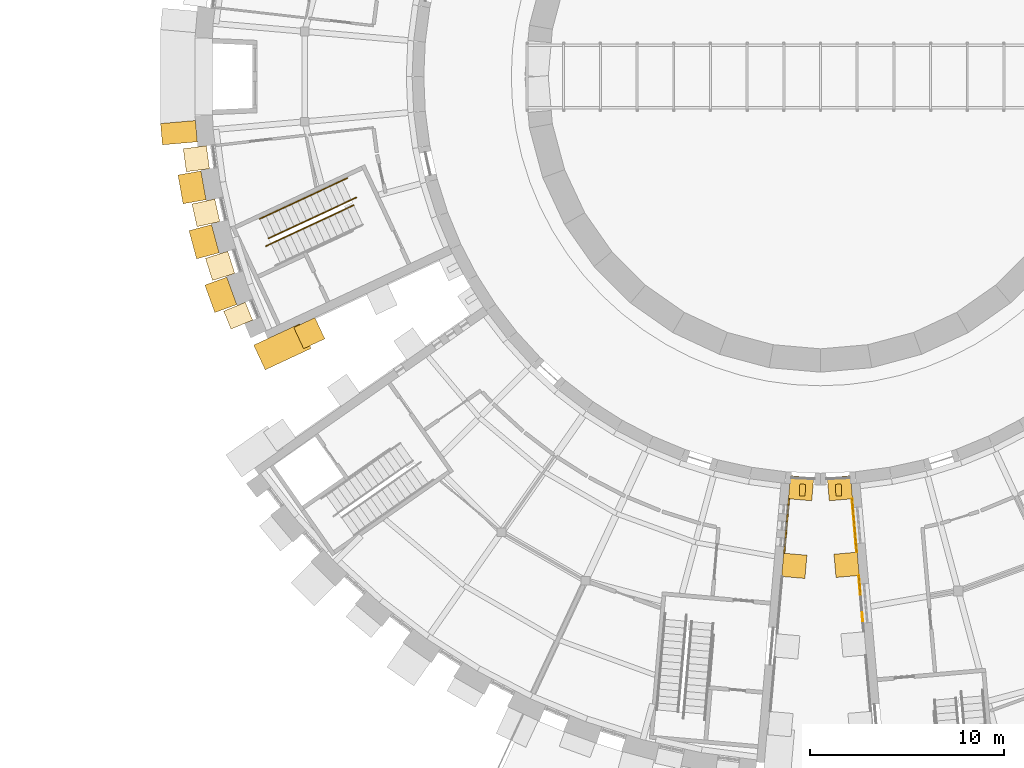
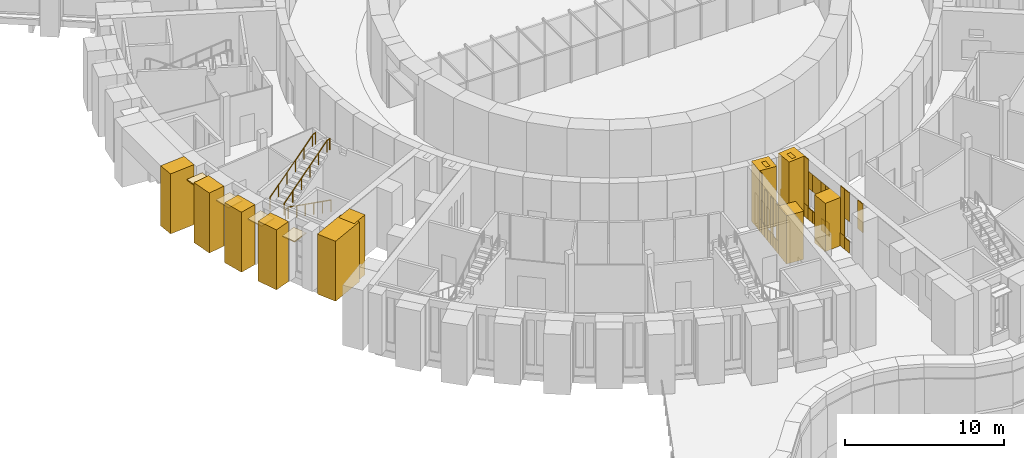
# One storey, part 67 of 85: 42 coverings, 3 railings.
"""IFC4 building model written with IfcOpenShell, lengths in metres."""

import ifcopenshell
import ifcopenshell.guid

model = None  # the IFC model being written
_history = None  # IfcOwnerHistory: only IFC2X3 demands one
_inside = {}  # id of a spatial element -> (the spatial element, [elements in it])
_under = {}  # id of a project, library or spatial element -> (it, [spatial elements below it])
_declared = {}  # id of a project -> (the project, [libraries it declares])
_typed = {}  # id of a type object -> (the type object, [elements of that type])
_made_of = {}  # id of a material, layer set ... -> (it, [elements and type objects made of it])


def new_model(schema):
    """Start an empty IFC model of exactly this schema.

    Asked for "IFC4X3", IfcOpenShell would pick the latest addendum, in which some entities
    have other attributes; the version numbers below select the first issue.
    IFC2X3 requires an IfcOwnerHistory on every rooted entity: one is made here for all.
    """
    global model, _history
    if schema == "IFC4X3":
        model = ifcopenshell.file(schema_version=(4, 3, 0, 0))
    else:
        model = ifcopenshell.file(schema=schema)
    _inside.clear()
    _under.clear()
    _declared.clear()
    _typed.clear()
    _made_of.clear()
    _history = None
    if model.schema == "IFC2X3":
        org = make("IfcOrganization", Name="unknown")
        user = make(
            "IfcPersonAndOrganization",
            ThePerson=make("IfcPerson", FamilyName="unknown"),
            TheOrganization=org,
        )
        app = make(
            "IfcApplication",
            ApplicationDeveloper=org,
            Version="unknown",
            ApplicationFullName="unknown",
            ApplicationIdentifier="unknown",
        )
        _history = make(
            "IfcOwnerHistory",
            OwningUser=user,
            OwningApplication=app,
            ChangeAction="ADDED",
            CreationDate=0,
        )
    return model


def make(cls, **values):
    """One entity of the class cls with the attributes given. An attribute that is None is left unset."""
    return model.create_entity(
        cls, **{name: value for name, value in values.items() if value is not None}
    )


def rooted(cls, **values):
    """An entity with a GlobalId (a new one), such as an element, a storey or a relation."""
    return make(cls, GlobalId=ifcopenshell.guid.new(), OwnerHistory=_history, **values)


def si_unit(unit_type, name, prefix=None):
    """IfcSIUnit, for example si_unit("LENGTHUNIT", "METRE", prefix="MILLI")."""
    return make("IfcSIUnit", UnitType=unit_type, Prefix=prefix, Name=name)


def assignment(units):
    """IfcUnitAssignment: the units of a project."""
    return None if units is None else make("IfcUnitAssignment", Units=units)


def point(xyz):
    """IfcCartesianPoint."""
    return None if xyz is None else make("IfcCartesianPoint", Coordinates=xyz)


def direction(xyz):
    """IfcDirection."""
    return None if xyz is None else make("IfcDirection", DirectionRatios=xyz)


def frame(location, z_axis=None, x_axis=None):
    """IfcAxis2Placement3D, a coordinate frame: its origin and axes. An axis left out is left unset."""
    return make(
        "IfcAxis2Placement3D",
        Location=point(location),
        Axis=direction(z_axis),
        RefDirection=direction(x_axis),
    )


def frame_2d(location, x_axis=None):
    """IfcAxis2Placement2D, a coordinate frame in the plane: its origin and x axis."""
    return make(
        "IfcAxis2Placement2D", Location=point(location), RefDirection=direction(x_axis)
    )


def origin():
    """The frame at (0, 0, 0) with its axes left unset."""
    return frame((0.0, 0.0, 0.0))


def origin_2d():
    """The frame at (0, 0) in the plane with its x axis left unset."""
    return frame_2d((0.0, 0.0))


def place(relative_to, where):
    """IfcLocalPlacement: puts the frame where relative to a parent placement (None: the world)."""
    return make(
        "IfcLocalPlacement", PlacementRelTo=relative_to, RelativePlacement=where
    )


def context(
    kind, dimensions, precision=None, world=None, true_north=None, identifier=None
):
    """IfcGeometricRepresentationContext, for example the 3D "Model" context."""
    return make(
        "IfcGeometricRepresentationContext",
        ContextIdentifier=identifier,
        ContextType=kind,
        CoordinateSpaceDimension=dimensions,
        Precision=precision,
        WorldCoordinateSystem=world,
        TrueNorth=true_north,
    )


def subcontext(parent, identifier, kind, view, scale=None):
    """IfcGeometricRepresentationSubContext, for example "Body" below "Model"."""
    return make(
        "IfcGeometricRepresentationSubContext",
        ContextIdentifier=identifier,
        ContextType=kind,
        ParentContext=parent,
        TargetScale=scale,
        TargetView=view,
    )


def project(units=None, contexts=None):
    """IfcProject with its units and contexts."""
    return rooted(
        "IfcProject",
        Name="project",
        RepresentationContexts=contexts,
        UnitsInContext=assignment(units),
    )


def spatial(cls, under=None, at=None, **own):
    """A site, building, storey or space (cls), placed at a placement, below another one or the project."""
    s = rooted(cls, ObjectPlacement=at, **own)
    if under is not None:
        _under.setdefault(under.id(), (under, []))[1].append(s)
    return s


def polyline(points):
    """IfcPolyline through the points."""
    return make("IfcPolyline", Points=[point(p) for p in points])


def profile(cls, at=None, kind="AREA", **sizes):
    """A parametric profile (cls). Its sizes go by their IFC names, for example OverallWidth=200.0."""
    return make(cls, ProfileType=kind, Position=at, **sizes)


def rectangle(**sizes):
    """IfcRectangleProfileDef."""
    return profile("IfcRectangleProfileDef", **sizes)


def circle(**sizes):
    """IfcCircleProfileDef."""
    return profile("IfcCircleProfileDef", **sizes)


def outline(outer, holes=None, kind="AREA"):
    """IfcArbitraryClosedProfileDef: a profile drawn as a closed curve; with holes, ...WithVoids."""
    if holes is None:
        return make("IfcArbitraryClosedProfileDef", ProfileType=kind, OuterCurve=outer)
    return make(
        "IfcArbitraryProfileDefWithVoids",
        ProfileType=kind,
        OuterCurve=outer,
        InnerCurves=holes,
    )


def extrude(swept, where, along, depth):
    """IfcExtrudedAreaSolid: the profile swept, set in the frame where, extruded along a direction by depth."""
    return make(
        "IfcExtrudedAreaSolid",
        SweptArea=swept,
        Position=where,
        ExtrudedDirection=direction(along),
        Depth=depth,
    )


def shape(context_of_items, identifier, shape_type, items):
    """IfcShapeRepresentation: the items that make up one representation, for example the "Body"."""
    return make(
        "IfcShapeRepresentation",
        ContextOfItems=context_of_items,
        RepresentationIdentifier=identifier,
        RepresentationType=shape_type,
        Items=items,
    )


def material(Name=None, Category=None):
    """IfcMaterial."""
    return make("IfcMaterial", Name=Name, Category=Category)


def layer(
    of_material, thickness, ventilated=None, Name=None, Category=None, Priority=None
):
    """IfcMaterialLayer: one layer of a wall or slab, of a material (None: an air gap)."""
    return make(
        "IfcMaterialLayer",
        Material=of_material,
        LayerThickness=thickness,
        IsVentilated=ventilated,
        Name=Name,
        Category=Category,
        Priority=Priority,
    )


def layer_set(layers, Name=None):
    """IfcMaterialLayerSet."""
    return make("IfcMaterialLayerSet", MaterialLayers=layers, LayerSetName=Name)


def made_of(thing, what):
    """Note that an element or type object is made of a material, layer set ...; save() writes the relation."""
    if what is not None:
        _made_of.setdefault(what.id(), (what, []))[1].append(thing)
    return thing


def type_object(cls, material=None, **own):
    """A type object (cls), such as IfcWallType, which elements share."""
    return made_of(rooted(cls, **own), material)


def element(
    cls,
    number,
    at=None,
    inside=None,
    cuts=None,
    type_object=None,
    material=None,
    context=None,
    identifier="Body",
    shape_type=None,
    held_by="IfcProductDefinitionShape",
    body=None,
    shapes=None,
    **own,
):
    """One element of the class cls, such as IfcWall. Its Tag is "e" and its number.

    at: its placement. inside: the storey or other place that contains it. cuts: it is an
    opening in that element (IfcRelVoidsElement). A single representation is given by context,
    identifier, shape_type and body (its items); several are given by shapes. held_by: the class
    of the entity that holds the representations. save() writes the other relations.
    """
    e = rooted(cls, Tag="e%d" % number, ObjectPlacement=at, **own)
    if body is not None:
        shapes = [shape(context, identifier, shape_type, body)]
    if shapes is not None:
        e.Representation = make(held_by, Representations=shapes)
    if inside is not None:
        _inside.setdefault(inside.id(), (inside, []))[1].append(e)
    if cuts is not None:
        rooted(
            "IfcRelVoidsElement", RelatingBuildingElement=cuts, RelatedOpeningElement=e
        )
    if type_object is not None:
        _typed.setdefault(type_object.id(), (type_object, []))[1].append(e)
    return made_of(e, material)


def aggregate(whole, parts):
    """IfcRelAggregates: a whole, such as a stair, and the parts it consists of."""
    return rooted("IfcRelAggregates", RelatingObject=whole, RelatedObjects=parts)


def save(model, path):
    """Write the relations noted so far, then the file.

    IfcRelAggregates (storeys below a building ...), IfcRelContainedInSpatialStructure (elements
    in a storey), IfcRelDefinesByType, IfcRelAssociatesMaterial and IfcRelDeclares: one each for
    every whole, place, type object, material and project.
    """
    for whole, parts in _under.values():
        aggregate(whole, parts)
    for where, things in _inside.values():
        rooted(
            "IfcRelContainedInSpatialStructure",
            RelatedElements=things,
            RelatingStructure=where,
        )
    for kind, things in _typed.values():
        rooted("IfcRelDefinesByType", RelatedObjects=things, RelatingType=kind)
    for what, things in _made_of.values():
        rooted("IfcRelAssociatesMaterial", RelatedObjects=things, RelatingMaterial=what)
    for by, libraries in _declared.values():
        rooted("IfcRelDeclares", RelatingContext=by, RelatedDefinitions=libraries)
    model.write(path)


model = new_model("IFC4")

# Units and contexts
model_context = context("Model", 3, precision=1e-05, world=origin(), true_north=direction((0.0, 1.0)))
body_context = subcontext(model_context, "Body", "Model", "MODEL_VIEW")
ifc_project = project(units=[si_unit("LENGTHUNIT", "METRE"), si_unit("AREAUNIT", "SQUARE_METRE"), si_unit("VOLUMEUNIT", "CUBIC_METRE"), si_unit("PLANEANGLEUNIT", "RADIAN"), si_unit("MASSUNIT", "GRAM", prefix="KILO")], contexts=[model_context])

# Site, building, storey
site_placement = place(None, origin())
site = spatial("IfcSite", under=ifc_project, at=site_placement, CompositionType="ELEMENT")
building_placement = place(site_placement, origin())
building = spatial("IfcBuilding", under=site, at=building_placement, Name="Volute Hill Aquarium", CompositionType="ELEMENT")
storey_placement = place(building_placement, origin())
storey = spatial("IfcBuildingStorey", under=building, at=storey_placement, Name="L01", CompositionType="ELEMENT", Elevation=0.0)

# Coverings
ifc_material_1 = material(Name="Precast pale concrete C40/50", Category="concrete")
covering_type_1 = type_object("IfcCoveringType", Name="Drum pier fin 300x600", PredefinedType="CLADDING", material=ifc_material_1)
for number, where, z_axis, x_axis, name in (
    (1, (-0.92822265625, -21.260009765625, 0.0), (0.0, 0.0, 1.0), (0.999048221582, -0.043619387365, 0.0), "Drum pier fin DF 54 L01"),
    (2, (0.92822265625, -21.260009765625, 0.0), (0.0, 0.0, 1.0), (0.999048221582, 0.043619387365, 0.0), "Drum pier fin DF 55 L01"),
):
    element("IfcCovering", number, at=place(storey_placement, frame(where, z_axis=z_axis, x_axis=x_axis)), inside=storey, type_object=covering_type_1, Name=name, PredefinedType="CLADDING", context=body_context, shape_type="SweptSolid", body=[
        extrude(rectangle(XDim=0.300048828125, YDim=0.60009765625, at=origin_2d()), origin(), (0.0, 0.0, 1.0), 4.60009765625),
    ])
ifc_material_2 = material(Name="Blue limestone", Category="masonry")
ifc_layer_1 = layer(ifc_material_2, 0.06005859375)
ifc_layer_set_1 = layer_set([ifc_layer_1], Name="End wall plinth blue limestone 60")
covering_type_2 = type_object("IfcCoveringType", Name="End wall plinth blue limestone 60", PredefinedType="CLADDING", material=ifc_layer_set_1)
covering_1_placement = place(storey_placement, frame((-1.648193359375, -21.708740234375, 0.0), z_axis=(-0.996213352691, 0.086942256235, 0.0), x_axis=(-0.086942256235, -0.996213352691, 0.0)))
element("IfcCovering", 3, at=covering_1_placement, inside=storey, type_object=covering_type_2, Name="End wall plinth EWL S2B L01 1", PredefinedType="CLADDING", context=body_context, shape_type="SweptSolid", body=[
    extrude(outline(polyline([(0.0, 0.0), (0.33696934343236407, 0.0), (0.33696934343236407, 1.0), (0.0, 1.0), (0.0, 0.0)])), origin(), (0.0, 0.0, -1.0), 0.06005859375),
])
covering_2_placement = place(storey_placement, frame((-1.677490234375, -22.04443359375, 0.0), z_axis=(-0.996181346462, 0.087308218171, 0.0), x_axis=(-0.087308218171, -0.996181346462, 0.0)))
element("IfcCovering", 4, at=covering_2_placement, inside=storey, type_object=covering_type_2, Name="End wall plinth EWL S2B L01 1", PredefinedType="CLADDING", context=body_context, shape_type="SweptSolid", body=[
    extrude(outline(polyline([(0.0, 0.0), (0.450205506976834, 0.0), (0.450205506976834, 0.89990234375), (0.0, 0.89990234375), (0.0, 0.0)])), origin(), (0.0, 0.0, -1.0), 0.06005859375),
])
covering_3_placement = place(storey_placement, frame((-1.716796875, -22.492919921875, 0.0), z_axis=(-0.996207870151, 0.087005054162, 0.0), x_axis=(-0.087005054162, -0.996207870151, 0.0)))
element("IfcCovering", 5, at=covering_3_placement, inside=storey, type_object=covering_type_2, Name="End wall plinth EWL S2B L01 1", PredefinedType="CLADDING", context=body_context, shape_type="SweptSolid", body=[
    extrude(outline(polyline([(0.0, 0.0), (0.39284714927595493, 0.0), (0.39284714927595493, 1.0), (0.0, 1.0), (0.0, 0.0)])), origin(), (0.0, 0.0, -1.0), 0.06005859375),
])
covering_4_placement = place(storey_placement, frame((-1.7509765625, -22.88427734375, 0.0), z_axis=(-0.996177209405, 0.087355408886, 0.0), x_axis=(-0.087355408886, -0.996177209405, 0.0)))
element("IfcCovering", 6, at=covering_4_placement, inside=storey, type_object=covering_type_2, Name="End wall plinth EWL S2B L01 1", PredefinedType="CLADDING", context=body_context, shape_type="SweptSolid", body=[
    extrude(outline(polyline([(0.0, 0.0), (0.4499622991451707, 0.0), (0.4499622991451707, 0.89990234375), (0.0, 0.89990234375), (0.0, 0.0)])), origin(), (0.0, 0.0, -1.0), 0.06005859375),
])
covering_5_placement = place(storey_placement, frame((-1.790283203125, -23.33251953125, 0.0), z_axis=(-0.996212570198, 0.086951221838, 0.0), x_axis=(-0.086951221838, -0.996212570198, 0.0)))
element("IfcCovering", 7, at=covering_5_placement, inside=storey, type_object=covering_type_2, Name="End wall plinth EWL S2B L01 1", PredefinedType="CLADDING", context=body_context, shape_type="SweptSolid", body=[
    extrude(outline(polyline([(0.0, 0.0), (0.39309036466191727, 0.0), (0.39309036466191727, 1.0), (0.0, 1.0), (0.0, 0.0)])), origin(), (0.0, 0.0, -1.0), 0.06005859375),
])
covering_6_placement = place(storey_placement, frame((-1.824462890625, -23.72412109375, 0.0), z_axis=(-0.996177209405, 0.087355408886, 0.0), x_axis=(-0.087355408886, -0.996177209405, 0.0)))
element("IfcCovering", 8, at=covering_6_placement, inside=storey, type_object=covering_type_2, Name="End wall plinth EWL S2B L01 1", PredefinedType="CLADDING", context=body_context, shape_type="SweptSolid", body=[
    extrude(outline(polyline([(0.0, 0.0), (0.4499622991451707, 0.0), (0.4499622991451707, 0.89990234375), (0.0, 0.89990234375), (0.0, 0.0)])), origin(), (0.0, 0.0, -1.0), 0.06005859375),
])
covering_7_placement = place(storey_placement, frame((-1.86376953125, -24.17236328125, 0.0), z_axis=(-0.996213352691, 0.086942256235, 0.0), x_axis=(-0.086942256235, -0.996213352691, 0.0)))
element("IfcCovering", 9, at=covering_7_placement, inside=storey, type_object=covering_type_2, Name="End wall plinth EWL S2B L01 1", PredefinedType="CLADDING", context=body_context, shape_type="SweptSolid", body=[
    extrude(outline(polyline([(0.0, 0.0), (0.33696934343236407, 0.0), (0.33696934343236407, 1.0), (0.0, 1.0), (0.0, 0.0)])), origin(), (0.0, 0.0, -1.0), 0.06005859375),
])
covering_8_placement = place(storey_placement, frame((1.588623046875, -21.714111328125, 0.0), z_axis=(-0.996177209405, -0.087355408886, 0.0), x_axis=(0.087355408886, -0.996177209405, 0.0)))
element("IfcCovering", 10, at=covering_8_placement, inside=storey, type_object=covering_type_2, Name="End wall plinth EWL S3A L01 1", PredefinedType="CLADDING", context=body_context, shape_type="SweptSolid", body=[
    extrude(outline(polyline([(0.0, 0.0), (0.4499622991451707, 0.0), (0.4499622991451707, 1.0), (0.0, 1.0), (0.0, 0.0)])), origin(), (0.0, 0.0, -1.0), 0.06005859375),
])
covering_9_placement = place(storey_placement, frame((1.6279296875, -22.162353515625, 0.0), z_axis=(-0.996192610653, -0.087179598988, 0.0), x_axis=(0.087179598988, -0.996192610653, 0.0)))
element("IfcCovering", 11, at=covering_9_placement, inside=storey, type_object=covering_type_2, Name="End wall plinth EWL S3A L01 1", PredefinedType="CLADDING", context=body_context, shape_type="SweptSolid", body=[
    extrude(outline(polyline([(0.0, 0.0), (0.4788740411727415, 0.0), (0.4788740411727415, 0.89990234375), (0.0, 0.89990234375), (0.0, 0.0)])), origin(), (0.0, 0.0, -1.0), 0.06005859375),
])
covering_10_placement = place(storey_placement, frame((1.669677734375, -22.639404296875, 0.0), z_axis=(-0.996200781645, -0.087086179441, 0.0), x_axis=(0.087086179441, -0.996200781645, 0.0)))
element("IfcCovering", 12, at=covering_10_placement, inside=storey, type_object=covering_type_2, Name="End wall plinth EWL S3A L01 1", PredefinedType="CLADDING", context=body_context, shape_type="SweptSolid", body=[
    extrude(outline(polyline([(0.0, 0.0), (0.8999033041507525, 0.0), (0.8999033041507525, 0.89990234375), (0.0, 0.89990234375), (0.0, 0.0)])), origin(), (0.0, 0.0, -1.0), 0.06005859375),
])
covering_11_placement = place(storey_placement, frame((1.748046875, -23.535888671875, 0.0), z_axis=(-0.996192610653, -0.087179598988, 0.0), x_axis=(0.087179598988, -0.996192610653, 0.0)))
element("IfcCovering", 13, at=covering_11_placement, inside=storey, type_object=covering_type_2, Name="End wall plinth EWL S3A L01 1", PredefinedType="CLADDING", context=body_context, shape_type="SweptSolid", body=[
    extrude(outline(polyline([(0.0, 0.0), (0.4788740411727415, 0.0), (0.4788740411727415, 0.89990234375), (0.0, 0.89990234375), (0.0, 0.0)])), origin(), (0.0, 0.0, -1.0), 0.06005859375),
])
for number, where, z_axis, x_axis, name in (
    (14, (1.789794921875, -24.012939453125, 0.0), (-0.996224282231, -0.086816930913, 0.0), (0.086816930913, -0.996224282231, 0.0), "End wall plinth EWL S3A L01 1"),
    (15, (1.93359375, -25.65673828125, 0.0), (-0.996224282231, -0.086816930913, 0.0), (0.086816930913, -0.996224282231, 0.0), "End wall plinth EWL S3A L01 2"),
):
    element("IfcCovering", number, at=place(storey_placement, frame(where, z_axis=z_axis, x_axis=x_axis)), inside=storey, type_object=covering_type_2, Name=name, PredefinedType="CLADDING", context=body_context, shape_type="SweptSolid", body=[
        extrude(outline(polyline([(0.0, 0.0), (0.44994103787166956, 0.0), (0.44994103787166956, 0.9999999999999999), (0.0, 0.9999999999999999), (0.0, 0.0)])), origin(), (0.0, 0.0, -1.0), 0.06005859375),
    ])
covering_12_placement = place(storey_placement, frame((1.97265625, -26.10498046875, 0.0), z_axis=(-0.996180782713, -0.087314650278, 0.0), x_axis=(0.087314650278, -0.996180782713, 0.0)))
element("IfcCovering", 16, at=covering_12_placement, inside=storey, type_object=covering_type_2, Name="End wall plinth EWL S3A L01 2", PredefinedType="CLADDING", context=body_context, shape_type="SweptSolid", body=[
    extrude(outline(polyline([(0.0, 0.0), (0.5536280978769228, 0.0), (0.5536280978769228, 0.8999023437500002), (0.0, 0.8999023437500002), (0.0, 0.0)])), origin(), (0.0, 0.0, -1.0), 0.06005859375),
])
ifc_material_3 = material(Name="Precast concrete C40/50", Category="concrete")
covering_type_3 = type_object("IfcCoveringType", Name="End wall precast fin C40/50 1200x1200", PredefinedType="CLADDING", material=ifc_material_3)
for number, where, z_axis, x_axis, name in (
    (17, (-26.2861328125, -13.1953125, 0.0), (0.0, 0.0, 1.0), (-0.906304180904, -0.42262599503, 0.0), "End wall fin EWF S1B L01 3"),
    (18, (-0.998291015625, -21.16357421875, 0.0), (0.0, 0.0, 1.0), (-0.087158138485, -0.996194488489, 0.0), "End wall fin EWF S2B L01 1"),
):
    element("IfcCovering", number, at=place(storey_placement, frame(where, z_axis=z_axis, x_axis=x_axis)), inside=storey, type_object=covering_type_3, Name=name, PredefinedType="CLADDING", context=body_context, shape_type="SweptSolid", body=[
        extrude(rectangle(XDim=1.199951171875, YDim=1.199951171875, at=origin_2d()), origin(), (0.0, 0.0, 1.0), 4.60009765625),
    ])
covering_13_placement = place(storey_placement, frame((-1.347900390625, -25.158203125, 0.0), z_axis=(0.0, 0.0, 1.0), x_axis=(-0.087158138485, -0.996194488489, 0.0)))
element("IfcCovering", 19, at=covering_13_placement, inside=storey, type_object=covering_type_3, Name="End wall fin EWF S2B L01 2", PredefinedType="CLADDING", context=body_context, shape_type="SweptSolid", body=[
    extrude(rectangle(XDim=1.199951171875, YDim=1.199951171875, at=origin_2d()), origin(), (0.0, 0.0, 1.0), 3.699951171875),
])
covering_14_placement = place(storey_placement, frame((0.998291015625, -21.16357421875, 0.0), z_axis=(0.0, 0.0, 1.0), x_axis=(0.087159823273, -0.996194341084, 0.0)))
element("IfcCovering", 20, at=covering_14_placement, inside=storey, type_object=covering_type_3, Name="End wall fin EWF S3A L01 1", PredefinedType="CLADDING", context=body_context, shape_type="SweptSolid", body=[
    extrude(rectangle(XDim=1.199951171875, YDim=1.199951171875, at=origin_2d()), origin(), (0.0, 0.0, 1.0), 4.60009765625),
])
covering_15_placement = place(storey_placement, frame((1.34326171875, -25.10595703125, 0.0), z_axis=(0.0, 0.0, 1.0), x_axis=(0.087159823273, -0.996194341084, 0.0)))
element("IfcCovering", 21, at=covering_15_placement, inside=storey, type_object=covering_type_3, Name="End wall fin EWF S3A L01 2", PredefinedType="CLADDING", context=body_context, shape_type="SweptSolid", body=[
    extrude(rectangle(XDim=1.199951171875, YDim=1.199951171875, at=origin_2d()), origin(), (0.0, 0.0, 1.0), 3.699951171875),
])
ifc_material_4 = material(Name="Precast concrete C40/50", Category="concrete")
ifc_layer_2 = layer(ifc_material_4, 0.050048828125)
ifc_layer_set_2 = layer_set([ifc_layer_2], Name="End wall precast infill panel C40/50 50")
covering_type_4 = type_object("IfcCoveringType", Name="End wall precast infill panel C40/50 50", PredefinedType="CLADDING", material=ifc_layer_set_2)
covering_16_placement = place(storey_placement, frame((-1.648193359375, -21.708984375, 1.0), z_axis=(-0.996150344426, 0.08766123031, 0.0), x_axis=(-0.08766123031, -0.996150344426, 0.0)))
element("IfcCovering", 22, at=covering_16_placement, inside=storey, type_object=covering_type_4, Name="End wall panel EWP S2B L01 1", PredefinedType="CLADDING", context=body_context, shape_type="SweptSolid", body=[
    extrude(outline(polyline([(0.0, 0.0), (0.3369906573373057, 0.0), (0.3369906573373057, 3.60009765625), (0.0, 3.60009765625), (0.0, 0.0)])), origin(), (0.0, 0.0, -1.0), 0.050048828125),
])
for number, where, z_axis, x_axis, name in (
    (23, (-1.716796875, -22.492919921875, 1.0), (-0.996153816649, 0.087621764284, 0.0), (-0.087621764284, -0.996153816649, 0.0), "End wall panel EWP S2B L01 1"),
    (24, (-1.790283203125, -23.332763671875, 1.0), (-0.996153816649, 0.087621764284, 0.0), (-0.087621764284, -0.996153816649, 0.0), "End wall panel EWP S2B L01 1"),
):
    element("IfcCovering", number, at=place(storey_placement, frame(where, z_axis=z_axis, x_axis=x_axis)), inside=storey, type_object=covering_type_4, Name=name, PredefinedType="CLADDING", context=body_context, shape_type="SweptSolid", body=[
        extrude(outline(polyline([(0.0, 0.0), (0.39286846602829584, 0.0), (0.39286846602829584, 2.6999511718749996), (0.0, 2.6999511718749996), (0.0, 0.0)])), origin(), (0.0, 0.0, -1.0), 0.050048828125),
    ])
covering_17_placement = place(storey_placement, frame((-1.86376953125, -24.17236328125, 1.0), z_axis=(-0.996155905612, 0.087598012049, 0.0), x_axis=(-0.087598012049, -0.996155905612, 0.0)))
element("IfcCovering", 25, at=covering_17_placement, inside=storey, type_object=covering_type_4, Name="End wall panel EWP S2B L01 1", PredefinedType="CLADDING", context=body_context, shape_type="SweptSolid", body=[
    extrude(outline(polyline([(0.0, 0.0), (0.33723385878408846, 0.0), (0.33723385878408846, 2.6999511718750004), (0.0, 2.6999511718750004), (0.0, 0.0)])), origin(), (0.0, 0.0, -1.0), 0.050048828125),
])
covering_18_placement = place(storey_placement, frame((1.598388671875, -21.71337890625, 1.0), z_axis=(-0.996177209405, -0.087355408886, 0.0), x_axis=(0.087355408886, -0.996177209405, 0.0)))
element("IfcCovering", 26, at=covering_18_placement, inside=storey, type_object=covering_type_4, Name="End wall panel EWP S3A L01 1", PredefinedType="CLADDING", context=body_context, shape_type="SweptSolid", body=[
    extrude(outline(polyline([(0.0, 0.0), (0.4499622991451707, 0.0), (0.4499622991451707, 3.60009765625), (0.0, 3.60009765625), (0.0, 0.0)])), origin(), (0.0, 0.0, -1.0), 0.050048828125),
])
covering_19_placement = place(storey_placement, frame((1.6376953125, -22.16162109375, 2.39990234375), z_axis=(-0.996188732907, -0.087223898273, 0.0), x_axis=(0.087223898273, -0.996188732907, 0.0)))
element("IfcCovering", 27, at=covering_19_placement, inside=storey, type_object=covering_type_4, Name="End wall panel EWP S3A L01 1", PredefinedType="CLADDING", context=body_context, shape_type="SweptSolid", body=[
    extrude(outline(polyline([(0.0, 0.0), (0.4786308305593938, 0.0), (0.4786308305593938, 1.300048828125), (0.0, 1.300048828125), (0.0, 0.0)])), origin(), (0.0, 0.0, -1.0), 0.050048828125),
])
covering_20_placement = place(storey_placement, frame((1.679443359375, -22.638427734375, 2.39990234375), z_axis=(-0.996202838325, -0.087062649361, 0.0), x_axis=(0.087062649361, -0.996202838325, 0.0)))
element("IfcCovering", 28, at=covering_20_placement, inside=storey, type_object=covering_type_4, Name="End wall panel EWP S3A L01 1", PredefinedType="CLADDING", context=body_context, shape_type="SweptSolid", body=[
    extrude(outline(polyline([(0.0, 0.0), (0.9001465174833022, 0.0), (0.9001465174833022, 1.3000488281250002), (0.0, 1.3000488281250002), (0.0, 0.0)])), origin(), (0.0, 0.0, -1.0), 0.050048828125),
])
covering_21_placement = place(storey_placement, frame((1.7578125, -23.53515625, 2.39990234375), z_axis=(-0.996188732907, -0.087223898273, 0.0), x_axis=(0.087223898273, -0.996188732907, 0.0)))
element("IfcCovering", 29, at=covering_21_placement, inside=storey, type_object=covering_type_4, Name="End wall panel EWP S3A L01 1", PredefinedType="CLADDING", context=body_context, shape_type="SweptSolid", body=[
    extrude(outline(polyline([(0.0, 0.0), (0.4786308305593938, 0.0), (0.4786308305593938, 1.300048828125), (0.0, 1.300048828125), (0.0, 0.0)])), origin(), (0.0, 0.0, -1.0), 0.050048828125),
])
covering_22_placement = place(storey_placement, frame((1.799560546875, -24.011962890625, 1.0), z_axis=(-0.996177209405, -0.087355408886, 0.0), x_axis=(0.087355408886, -0.996177209405, 0.0)))
element("IfcCovering", 30, at=covering_22_placement, inside=storey, type_object=covering_type_4, Name="End wall panel EWP S3A L01 1", PredefinedType="CLADDING", context=body_context, shape_type="SweptSolid", body=[
    extrude(outline(polyline([(0.0, 0.0), (0.4499622991451707, 0.0), (0.4499622991451707, 2.699951171875), (0.0, 2.699951171875), (0.0, 0.0)])), origin(), (0.0, 0.0, -1.0), 0.050048828125),
])
covering_23_placement = place(storey_placement, frame((1.943359375, -25.65576171875, 1.0), z_axis=(-0.996177209405, -0.087355408886, 0.0), x_axis=(0.087355408886, -0.996177209405, 0.0)))
element("IfcCovering", 31, at=covering_23_placement, inside=storey, type_object=covering_type_4, Name="End wall panel EWP S3A L01 2", PredefinedType="CLADDING", context=body_context, shape_type="SweptSolid", body=[
    extrude(outline(polyline([(0.0, 0.0), (0.4499622991451707, 0.0), (0.4499622991451707, 3.60009765625), (0.0, 3.60009765625), (0.0, 0.0)])), origin(), (0.0, 0.0, -1.0), 0.050048828125),
])
for number, where, z_axis, x_axis, name in (
    (32, (1.982666015625, -26.10400390625, 2.39990234375), (-0.996180782713, -0.087314650278, 0.0), (0.087314650278, -0.996180782713, 0.0), "End wall panel EWP S3A L01 2"),
    (33, (2.109375, -27.55224609375, 2.39990234375), (-0.996180782713, -0.087314650278, 0.0), (0.087314650278, -0.996180782713, 0.0), "End wall panel EWP S3A L01 2"),
):
    element("IfcCovering", number, at=place(storey_placement, frame(where, z_axis=z_axis, x_axis=x_axis)), inside=storey, type_object=covering_type_4, Name=name, PredefinedType="CLADDING", context=body_context, shape_type="SweptSolid", body=[
        extrude(outline(polyline([(0.0, 0.0), (0.5536280978769228, 0.0), (0.5536280978769228, 2.2001953125000004), (0.0, 2.2001953125000004), (0.0, 0.0)])), origin(), (0.0, 0.0, -1.0), 0.050048828125),
    ])

# Railings
ifc_material_5 = material(Name="Stainless steel 1.4301", Category="steel")
railing_type = type_object("IfcRailingType", Name="Handrail 48 stainless", PredefinedType="HANDRAIL", material=ifc_material_5)
railing_1_placement = place(storey_placement, frame((-24.003662109375, -6.614013671875, 0.164306640625)))
element("IfcRailing", 34, at=railing_1_placement, inside=storey, type_object=railing_type, Name="hr/S1-B/L01/2", PredefinedType="HANDRAIL", context=body_context, shape_type="SweptSolid", body=[
    extrude(circle(Radius=0.02392578125, at=origin_2d()), frame((0.0, 0.0, 0.8759765625), z_axis=(-0.824494415061, -0.384507785116, 0.415165897827), x_axis=(0.422654128672, -0.906291061148, 0.0)), (0.0, 0.0, 1.0), 5.144287109375),
    extrude(circle(Radius=0.02392578125, at=origin_2d()), frame((-4.241455078125, -1.97802734375, 3.01171875), z_axis=(-0.906453195831, -0.422306291415, 0.0), x_axis=(0.422306291415, -0.906453195831, 0.0)), (0.0, 0.0, 1.0), 0.300048828125),
    extrude(circle(Radius=0.02099609375, at=origin_2d()), origin(), (0.0, 0.0, 1.0), 0.851806640625),
    extrude(circle(Radius=0.02099609375, at=origin_2d()), frame((-0.848388671875, -0.3955078125, 0.42724609375)), (0.0, 0.0, 1.0), 0.851806640625),
    extrude(circle(Radius=0.02099609375, at=origin_2d()), frame((-1.696533203125, -0.791259765625, 0.854248046875)), (0.0, 0.0, 1.0), 0.851806640625),
    extrude(circle(Radius=0.02099609375, at=origin_2d()), frame((-2.544921875, -1.186767578125, 1.281494140625)), (0.0, 0.0, 1.0), 0.851806640625),
    extrude(circle(Radius=0.02099609375, at=origin_2d()), frame((-3.39306640625, -1.58251953125, 1.70849609375)), (0.0, 0.0, 1.0), 0.851806640625),
    extrude(circle(Radius=0.02099609375, at=origin_2d()), frame((-4.241455078125, -1.97802734375, 2.1357421875)), (0.0, 0.0, 1.0), 0.851806640625),
    extrude(circle(Radius=0.02099609375, at=origin_2d()), frame((-4.513427734375, -2.104736328125, 2.1357421875)), (0.0, 0.0, 1.0), 0.851806640625),
])
railing_2_placement = place(storey_placement, frame((-28.3720703125, -8.320068359375, 2.46435546875)))
element("IfcRailing", 35, at=railing_2_placement, inside=storey, type_object=railing_type, Name="hr/S1-B/L01/3", PredefinedType="HANDRAIL", context=body_context, shape_type="SweptSolid", body=[
    extrude(circle(Radius=0.02392578125, at=origin_2d()), frame((0.0, 0.0, 0.8759765625), z_axis=(0.824509460014, 0.384467342173, 0.415173473563), x_axis=(-0.42261127948, 0.906311042885, 0.0)), (0.0, 0.0, 1.0), 5.144287109375),
    extrude(circle(Radius=0.02392578125, at=origin_2d()), frame((4.241455078125, 1.977783203125, 3.01171875), z_axis=(0.906141574394, 0.422974523056, 0.0), x_axis=(-0.422974523056, 0.906141574394, 0.0)), (0.0, 0.0, 1.0), 0.300048828125),
    extrude(circle(Radius=0.02099609375, at=origin_2d()), origin(), (0.0, 0.0, 1.0), 0.851806640625),
    extrude(circle(Radius=0.02099609375, at=origin_2d()), frame((0.848388671875, 0.3955078125, 0.42724609375)), (0.0, 0.0, 1.0), 0.851806640625),
    extrude(circle(Radius=0.02099609375, at=origin_2d()), frame((1.696533203125, 0.791015625, 0.854248046875)), (0.0, 0.0, 1.0), 0.851806640625),
    extrude(circle(Radius=0.02099609375, at=origin_2d()), frame((2.544921875, 1.186767578125, 1.281494140625)), (0.0, 0.0, 1.0), 0.851806640625),
    extrude(circle(Radius=0.02099609375, at=origin_2d()), frame((3.39306640625, 1.582275390625, 1.70849609375)), (0.0, 0.0, 1.0), 0.851806640625),
    extrude(circle(Radius=0.02099609375, at=origin_2d()), frame((4.241455078125, 1.977783203125, 2.1357421875)), (0.0, 0.0, 1.0), 0.851806640625),
    extrude(circle(Radius=0.02099609375, at=origin_2d()), frame((4.513427734375, 2.104736328125, 2.1357421875)), (0.0, 0.0, 1.0), 0.851806640625),
])
railing_3_placement = place(storey_placement, frame((-28.8369140625, -7.322998046875, 2.46435546875)))
element("IfcRailing", 36, at=railing_3_placement, inside=storey, type_object=railing_type, Name="hr/S1-B/L01/4", PredefinedType="HANDRAIL", context=body_context, shape_type="SweptSolid", body=[
    extrude(circle(Radius=0.02392578125, at=origin_2d()), frame((0.0, 0.0, 0.8759765625), z_axis=(0.824509460014, 0.384467342173, 0.415173473563), x_axis=(-0.42261127948, 0.906311042885, 0.0)), (0.0, 0.0, 1.0), 5.144287109375),
    extrude(circle(Radius=0.02392578125, at=origin_2d()), frame((4.241455078125, 1.977783203125, 3.01171875), z_axis=(0.906453195831, 0.422306291415, 0.0), x_axis=(-0.422306291415, 0.906453195831, 0.0)), (0.0, 0.0, 1.0), 0.300048828125),
    extrude(circle(Radius=0.02099609375, at=origin_2d()), origin(), (0.0, 0.0, 1.0), 0.851806640625),
    extrude(circle(Radius=0.02099609375, at=origin_2d()), frame((0.848388671875, 0.3955078125, 0.42724609375)), (0.0, 0.0, 1.0), 0.851806640625),
    extrude(circle(Radius=0.02099609375, at=origin_2d()), frame((1.696533203125, 0.791015625, 0.854248046875)), (0.0, 0.0, 1.0), 0.851806640625),
    extrude(circle(Radius=0.02099609375, at=origin_2d()), frame((2.544921875, 1.186767578125, 1.281494140625)), (0.0, 0.0, 1.0), 0.851806640625),
    extrude(circle(Radius=0.02099609375, at=origin_2d()), frame((3.39306640625, 1.582275390625, 1.70849609375)), (0.0, 0.0, 1.0), 0.851806640625),
    extrude(circle(Radius=0.02099609375, at=origin_2d()), frame((4.241455078125, 1.977783203125, 2.1357421875)), (0.0, 0.0, 1.0), 0.851806640625),
    extrude(circle(Radius=0.02099609375, at=origin_2d()), frame((4.513427734375, 2.1044921875, 2.1357421875)), (0.0, 0.0, 1.0), 0.851806640625),
])

# Coverings
ifc_material_6 = material(Name="Aluminium, anodised", Category="aluminium")
ifc_layer_3 = layer(ifc_material_6, 0.080078125)
ifc_layer_set_3 = layer_set([ifc_layer_3], Name="Horizontal brise-soleil eyebrow 1200x80")
covering_type_5 = type_object("IfcCoveringType", Name="Horizontal brise-soleil eyebrow 1200x80", PredefinedType="CLADDING", material=ifc_layer_set_3)
for number, where, z_axis, x_axis, name in (
    (37, (-32.0927734375, -4.225341796875, 3.85986328125), (0.0, 0.0, 1.0), (0.130527244804, -0.991444722798, 0.0), "Brise-soleil eyebrow BS S1 L01 7.1"),
    (38, (-31.602294921875, -7.006103515625, 3.85986328125), (0.0, 0.0, 1.0), (0.216460976305, -0.976291270952, 0.0), "Brise-soleil eyebrow BS S1 L01 8.1"),
    (39, (-30.87158203125, -9.73388671875, 3.85986328125), (0.0, 0.0, 1.0), (0.300700050093, -0.953718763512, 0.0), "Brise-soleil eyebrow BS S1 L01 9.1"),
):
    element("IfcCovering", number, at=place(storey_placement, frame(where, z_axis=z_axis, x_axis=x_axis)), inside=storey, type_object=covering_type_5, Name=name, PredefinedType="CLADDING", context=body_context, shape_type="SweptSolid", body=[
        extrude(rectangle(XDim=1.19287109375, YDim=1.199951171875, at=origin_2d()), origin(), (0.0, 0.0, 1.0), 0.080078125),
    ])
covering_24_placement = place(storey_placement, frame((-29.944091796875, -12.294921875, 3.85986328125), z_axis=(0.0, 0.0, 1.0), x_axis=(0.382661654863, -0.923888552747, 0.0)))
element("IfcCovering", 40, at=covering_24_placement, inside=storey, type_object=covering_type_5, Name="Brise-soleil eyebrow BS S1 L01 10.1", PredefinedType="CLADDING", context=body_context, shape_type="SweptSolid", body=[
    extrude(rectangle(XDim=0.99267578125, YDim=1.199951171875, at=origin_2d()), origin(), (0.0, 0.0, 1.0), 0.080078125),
])
ifc_material_7 = material(Name="Precast concrete C40/50", Category="concrete")
covering_type_6 = type_object("IfcCoveringType", Name="Projecting pier precast concrete C40/50 1100x1800", PredefinedType="CLADDING", material=ifc_material_7)
covering_25_placement = place(storey_placement, frame((-32.989013671875, -2.88623046875, 0.0), z_axis=(0.0, 0.0, 1.0), x_axis=(0.087155742748, -0.996194698092, 0.0)))
element("IfcCovering", 41, at=covering_25_placement, inside=storey, type_object=covering_type_6, Name="Projecting pier PP S1 L01 6", PredefinedType="CLADDING", context=body_context, shape_type="SweptSolid", body=[
    extrude(rectangle(XDim=1.10009765625, YDim=1.800048828125, at=origin_2d()), origin(), (0.0, 0.0, 1.0), 4.60009765625),
])
ifc_material_8 = material(Name="Precast concrete C40/50", Category="concrete")
covering_type_7 = type_object("IfcCoveringType", Name="Projecting pier precast concrete C40/50 1502x1200", PredefinedType="CLADDING", material=ifc_material_8)
for number, where, z_axis, x_axis, name in (
    (42, (-32.316650390625, -5.6982421875, 0.0), (0.0, 0.0, 1.0), (0.173648177667, -0.984807753012, 0.0), "Projecting pier PP S1 L01 7"),
    (43, (-31.697021484375, -8.4931640625, 0.0), (0.0, 0.0, 1.0), (0.258819045103, -0.965925826289, 0.0), "Projecting pier PP S1 L01 8"),
    (44, (-30.836181640625, -11.223388671875, 0.0), (0.0, 0.0, 1.0), (0.342020143326, -0.939692620786, 0.0), "Projecting pier PP S1 L01 9"),
):
    element("IfcCovering", number, at=place(storey_placement, frame(where, z_axis=z_axis, x_axis=x_axis)), inside=storey, type_object=covering_type_7, Name=name, PredefinedType="CLADDING", context=body_context, shape_type="SweptSolid", body=[
        extrude(rectangle(XDim=1.502197265625, YDim=1.199951171875, at=origin_2d()), origin(), (0.0, 0.0, 1.0), 4.60009765625),
    ])
ifc_material_9 = material(Name="Precast concrete C40/50", Category="concrete")
covering_type_8 = type_object("IfcCoveringType", Name="Step pylon precast concrete C40/50 1400x2600", PredefinedType="CLADDING", material=ifc_material_9)
covering_26_placement = place(storey_placement, frame((-27.669921875, -13.895751953125, 0.0), z_axis=(0.0, 0.0, 1.0), x_axis=(-0.906307787037, -0.422618261741, 0.0)))
element("IfcCovering", 45, at=covering_26_placement, inside=storey, type_object=covering_type_8, Name="Step pylon SPY S1B L01", PredefinedType="CLADDING", context=body_context, shape_type="SweptSolid", body=[
    extrude(rectangle(XDim=2.60009765625, YDim=1.39990234375, at=origin_2d()), origin(), (0.0, 0.0, 1.0), 4.60009765625),
])

save(model, "model.ifc")
